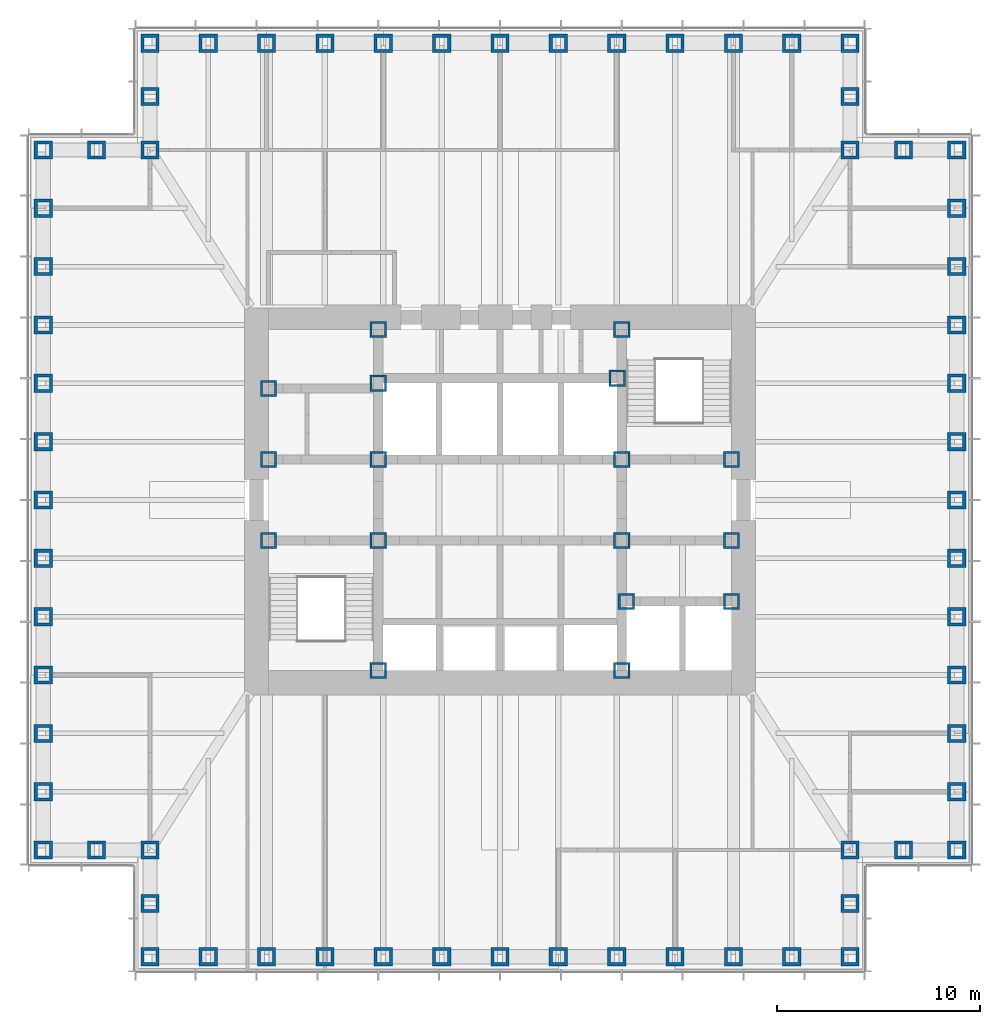
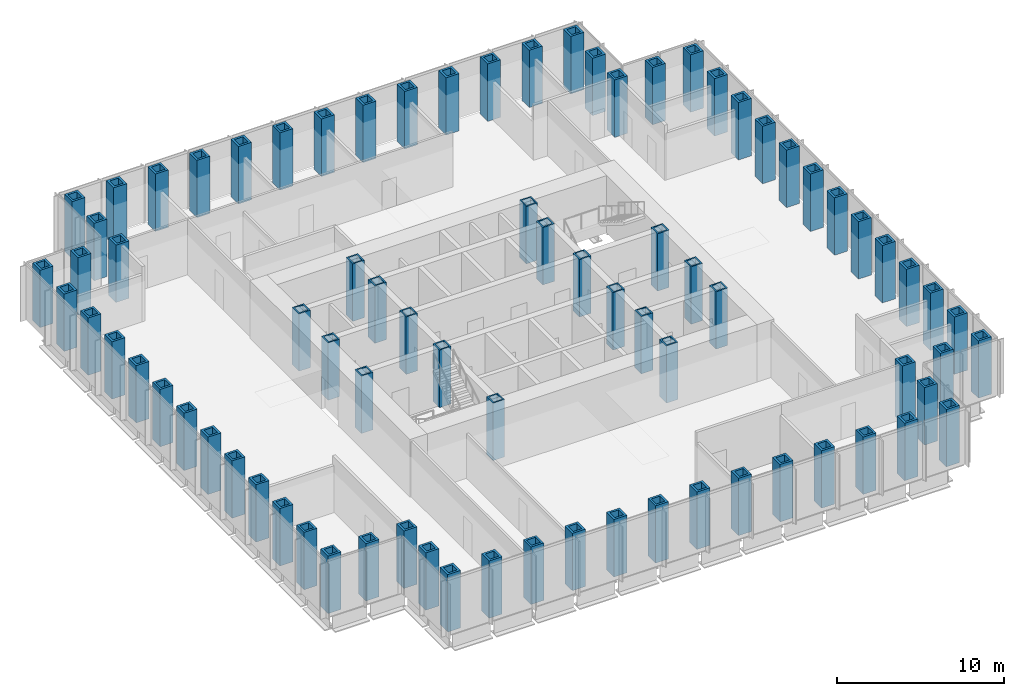
# One storey, part 1 of 17: 81 columns.
"""IFC4 building model written with IfcOpenShell, lengths in metres."""

import ifcopenshell
import ifcopenshell.guid

model = None  # the IFC model being written
_history = None  # IfcOwnerHistory: only IFC2X3 demands one
_inside = {}  # id of a spatial element -> (the spatial element, [elements in it])
_under = {}  # id of a project, library or spatial element -> (it, [spatial elements below it])
_declared = {}  # id of a project -> (the project, [libraries it declares])
_typed = {}  # id of a type object -> (the type object, [elements of that type])
_made_of = {}  # id of a material, layer set ... -> (it, [elements and type objects made of it])


def new_model(schema):
    """Start an empty IFC model of exactly this schema.

    Asked for "IFC4X3", IfcOpenShell would pick the latest addendum, in which some entities
    have other attributes; the version numbers below select the first issue.
    IFC2X3 requires an IfcOwnerHistory on every rooted entity: one is made here for all.
    """
    global model, _history
    if schema == "IFC4X3":
        model = ifcopenshell.file(schema_version=(4, 3, 0, 0))
    else:
        model = ifcopenshell.file(schema=schema)
    _inside.clear()
    _under.clear()
    _declared.clear()
    _typed.clear()
    _made_of.clear()
    _history = None
    if model.schema == "IFC2X3":
        org = make("IfcOrganization", Name="unknown")
        user = make(
            "IfcPersonAndOrganization",
            ThePerson=make("IfcPerson", FamilyName="unknown"),
            TheOrganization=org,
        )
        app = make(
            "IfcApplication",
            ApplicationDeveloper=org,
            Version="unknown",
            ApplicationFullName="unknown",
            ApplicationIdentifier="unknown",
        )
        _history = make(
            "IfcOwnerHistory",
            OwningUser=user,
            OwningApplication=app,
            ChangeAction="ADDED",
            CreationDate=0,
        )
    return model


def make(cls, **values):
    """One entity of the class cls with the attributes given. An attribute that is None is left unset."""
    return model.create_entity(
        cls, **{name: value for name, value in values.items() if value is not None}
    )


def rooted(cls, **values):
    """An entity with a GlobalId (a new one), such as an element, a storey or a relation."""
    return make(cls, GlobalId=ifcopenshell.guid.new(), OwnerHistory=_history, **values)


def si_unit(unit_type, name, prefix=None):
    """IfcSIUnit, for example si_unit("LENGTHUNIT", "METRE", prefix="MILLI")."""
    return make("IfcSIUnit", UnitType=unit_type, Prefix=prefix, Name=name)


def assignment(units):
    """IfcUnitAssignment: the units of a project."""
    return None if units is None else make("IfcUnitAssignment", Units=units)


def point(xyz):
    """IfcCartesianPoint."""
    return None if xyz is None else make("IfcCartesianPoint", Coordinates=xyz)


def direction(xyz):
    """IfcDirection."""
    return None if xyz is None else make("IfcDirection", DirectionRatios=xyz)


def frame(location, z_axis=None, x_axis=None):
    """IfcAxis2Placement3D, a coordinate frame: its origin and axes. An axis left out is left unset."""
    return make(
        "IfcAxis2Placement3D",
        Location=point(location),
        Axis=direction(z_axis),
        RefDirection=direction(x_axis),
    )


def frame_2d(location, x_axis=None):
    """IfcAxis2Placement2D, a coordinate frame in the plane: its origin and x axis."""
    return make(
        "IfcAxis2Placement2D", Location=point(location), RefDirection=direction(x_axis)
    )


def origin():
    """The frame at (0, 0, 0) with its axes left unset."""
    return frame((0.0, 0.0, 0.0))


def origin_2d():
    """The frame at (0, 0) in the plane with its x axis left unset."""
    return frame_2d((0.0, 0.0))


def place(relative_to, where):
    """IfcLocalPlacement: puts the frame where relative to a parent placement (None: the world)."""
    return make(
        "IfcLocalPlacement", PlacementRelTo=relative_to, RelativePlacement=where
    )


def context(
    kind, dimensions, precision=None, world=None, true_north=None, identifier=None
):
    """IfcGeometricRepresentationContext, for example the 3D "Model" context."""
    return make(
        "IfcGeometricRepresentationContext",
        ContextIdentifier=identifier,
        ContextType=kind,
        CoordinateSpaceDimension=dimensions,
        Precision=precision,
        WorldCoordinateSystem=world,
        TrueNorth=true_north,
    )


def subcontext(parent, identifier, kind, view, scale=None):
    """IfcGeometricRepresentationSubContext, for example "Body" below "Model"."""
    return make(
        "IfcGeometricRepresentationSubContext",
        ContextIdentifier=identifier,
        ContextType=kind,
        ParentContext=parent,
        TargetScale=scale,
        TargetView=view,
    )


def project(units=None, contexts=None):
    """IfcProject with its units and contexts."""
    return rooted(
        "IfcProject",
        Name="project",
        RepresentationContexts=contexts,
        UnitsInContext=assignment(units),
    )


def spatial(cls, under=None, at=None, **own):
    """A site, building, storey or space (cls), placed at a placement, below another one or the project."""
    s = rooted(cls, ObjectPlacement=at, **own)
    if under is not None:
        _under.setdefault(under.id(), (under, []))[1].append(s)
    return s


def profile(cls, at=None, kind="AREA", **sizes):
    """A parametric profile (cls). Its sizes go by their IFC names, for example OverallWidth=200.0."""
    return make(cls, ProfileType=kind, Position=at, **sizes)


def hollow_rectangle(**sizes):
    """IfcRectangleHollowProfileDef."""
    return profile("IfcRectangleHollowProfileDef", **sizes)


def extrude(swept, where, along, depth):
    """IfcExtrudedAreaSolid: the profile swept, set in the frame where, extruded along a direction by depth."""
    return make(
        "IfcExtrudedAreaSolid",
        SweptArea=swept,
        Position=where,
        ExtrudedDirection=direction(along),
        Depth=depth,
    )


def shape(context_of_items, identifier, shape_type, items):
    """IfcShapeRepresentation: the items that make up one representation, for example the "Body"."""
    return make(
        "IfcShapeRepresentation",
        ContextOfItems=context_of_items,
        RepresentationIdentifier=identifier,
        RepresentationType=shape_type,
        Items=items,
    )


def material(Name=None, Category=None):
    """IfcMaterial."""
    return make("IfcMaterial", Name=Name, Category=Category)


def material_profile(
    of_material, cross_section, Name=None, Category=None, Priority=None
):
    """IfcMaterialProfile: a cross section and its material."""
    return make(
        "IfcMaterialProfile",
        Name=Name,
        Material=of_material,
        Profile=cross_section,
        Priority=Priority,
        Category=Category,
    )


def profile_set(profiles, Name=None, composite=None):
    """IfcMaterialProfileSet."""
    return make(
        "IfcMaterialProfileSet",
        Name=Name,
        MaterialProfiles=profiles,
        CompositeProfile=composite,
    )


def made_of(thing, what):
    """Note that an element or type object is made of a material, layer set ...; save() writes the relation."""
    if what is not None:
        _made_of.setdefault(what.id(), (what, []))[1].append(thing)
    return thing


def type_object(cls, material=None, **own):
    """A type object (cls), such as IfcWallType, which elements share."""
    return made_of(rooted(cls, **own), material)


def element(
    cls,
    number,
    at=None,
    inside=None,
    cuts=None,
    type_object=None,
    material=None,
    context=None,
    identifier="Body",
    shape_type=None,
    held_by="IfcProductDefinitionShape",
    body=None,
    shapes=None,
    **own,
):
    """One element of the class cls, such as IfcWall. Its Tag is "e" and its number.

    at: its placement. inside: the storey or other place that contains it. cuts: it is an
    opening in that element (IfcRelVoidsElement). A single representation is given by context,
    identifier, shape_type and body (its items); several are given by shapes. held_by: the class
    of the entity that holds the representations. save() writes the other relations.
    """
    e = rooted(cls, Tag="e%d" % number, ObjectPlacement=at, **own)
    if body is not None:
        shapes = [shape(context, identifier, shape_type, body)]
    if shapes is not None:
        e.Representation = make(held_by, Representations=shapes)
    if inside is not None:
        _inside.setdefault(inside.id(), (inside, []))[1].append(e)
    if cuts is not None:
        rooted(
            "IfcRelVoidsElement", RelatingBuildingElement=cuts, RelatedOpeningElement=e
        )
    if type_object is not None:
        _typed.setdefault(type_object.id(), (type_object, []))[1].append(e)
    return made_of(e, material)


def aggregate(whole, parts):
    """IfcRelAggregates: a whole, such as a stair, and the parts it consists of."""
    return rooted("IfcRelAggregates", RelatingObject=whole, RelatedObjects=parts)


def save(model, path):
    """Write the relations noted so far, then the file.

    IfcRelAggregates (storeys below a building ...), IfcRelContainedInSpatialStructure (elements
    in a storey), IfcRelDefinesByType, IfcRelAssociatesMaterial and IfcRelDeclares: one each for
    every whole, place, type object, material and project.
    """
    for whole, parts in _under.values():
        aggregate(whole, parts)
    for where, things in _inside.values():
        rooted(
            "IfcRelContainedInSpatialStructure",
            RelatedElements=things,
            RelatingStructure=where,
        )
    for kind, things in _typed.values():
        rooted("IfcRelDefinesByType", RelatedObjects=things, RelatingType=kind)
    for what, things in _made_of.values():
        rooted("IfcRelAssociatesMaterial", RelatedObjects=things, RelatingMaterial=what)
    for by, libraries in _declared.values():
        rooted("IfcRelDeclares", RelatingContext=by, RelatedDefinitions=libraries)
    model.write(path)


model = new_model("IFC4")

# Units and contexts
model_context = context("Model", 3, precision=1e-05, world=origin(), true_north=direction((0.0, 1.0)))
body_context = subcontext(model_context, "Body", "Model", "MODEL_VIEW")
ifc_project = project(units=[si_unit("LENGTHUNIT", "METRE"), si_unit("AREAUNIT", "SQUARE_METRE"), si_unit("VOLUMEUNIT", "CUBIC_METRE"), si_unit("PLANEANGLEUNIT", "RADIAN"), si_unit("MASSUNIT", "GRAM", prefix="KILO")], contexts=[model_context])

# Site, building, storey
site_placement = place(None, origin())
site = spatial("IfcSite", under=ifc_project, at=site_placement, CompositionType="ELEMENT")
building_placement = place(site_placement, origin())
building = spatial("IfcBuilding", under=site, at=building_placement, Name="Daluyong Arena Tower", CompositionType="ELEMENT")
storey_placement = place(building_placement, frame((0.0, 0.0, 124.89990234375)))
storey = spatial("IfcBuildingStorey", under=building, at=storey_placement, Name="L27", CompositionType="ELEMENT", Elevation=124.89990234375)

# Columns
ifc_material_1 = material(Name="Steel ASTM A572 Grade 50", Category="steel")
ifc_material_profile_1 = material_profile(ifc_material_1, hollow_rectangle(XDim=0.800048828125, YDim=0.800048828125, WallThickness=0.1, at=origin_2d()))
ifc_profile_set_1 = profile_set([ifc_material_profile_1], Name="Steel ASTM A572 Grade 50")
column_type_1 = type_object("IfcColumnType", Name="Core boundary column BX800X100", PredefinedType="COLUMN", material=ifc_profile_set_1)
for number, where, z_axis, x_axis, name in (
    (1, (44.60009765625, 78.0, 0.0), (0.0, 0.0, 1.0), (1.0, 0.0, 0.0), "core boundary column BC2"),
    (2, (44.60009765625, 82.0, 0.0), (0.0, 0.0, 1.0), (1.0, 0.0, 0.0), "core boundary column BC2"),
    (3, (44.60009765625, 85.5, 0.0), (0.0, 0.0, 1.0), (1.0, 0.0, 0.0), "core boundary column BC2"),
    (4, (50.0, 71.60009765625, 0.0), (0.0, 0.0, 1.0), (1.0, 0.0, 0.0), "core boundary column BC2"),
    (5, (50.0, 78.0, 0.0), (0.0, 0.0, 1.0), (1.0, 0.0, 0.0), "core boundary column BC2"),
    (6, (50.0, 82.0, 0.0), (0.0, 0.0, 1.0), (1.0, 0.0, 0.0), "core boundary column BC2"),
    (7, (50.0, 85.75, 0.0), (0.0, 0.0, 1.0), (1.0, 0.0, 0.0), "core boundary column BC2"),
    (8, (50.0, 88.39990234375, 0.0), (0.0, 0.0, 1.0), (1.0, 0.0, 0.0), "core boundary column BC2"),
    (9, (61.77490234375, 86.0, 0.0), (0.0, 0.0, 1.0), (1.0, 0.0, 0.0), "core boundary column BC2"),
    (10, (62.0, 71.60009765625, 0.0), (0.0, 0.0, 1.0), (1.0, 0.0, 0.0), "core boundary column BC2"),
    (11, (62.0, 78.0, 0.0), (0.0, 0.0, 1.0), (1.0, 0.0, 0.0), "core boundary column BC2"),
    (12, (62.0, 82.0, 0.0), (0.0, 0.0, 1.0), (1.0, 0.0, 0.0), "core boundary column BC2"),
    (13, (62.0, 88.39990234375, 0.0), (0.0, 0.0, 1.0), (1.0, 0.0, 0.0), "core boundary column BC2"),
    (14, (62.22509765625, 75.0, 0.0), (0.0, 0.0, 1.0), (1.0, 0.0, 0.0), "core boundary column BC2"),
    (15, (67.39990234375, 75.0, 0.0), (0.0, 0.0, 1.0), (1.0, 0.0, 0.0), "core boundary column BC2"),
    (16, (67.39990234375, 78.0, 0.0), (0.0, 0.0, 1.0), (1.0, 0.0, 0.0), "core boundary column BC2"),
    (17, (67.39990234375, 82.0, 0.0), (0.0, 0.0, 1.0), (1.0, 0.0, 0.0), "core boundary column BC2"),
):
    element("IfcColumn", number, at=place(storey_placement, frame(where, z_axis=z_axis, x_axis=x_axis)), inside=storey, type_object=column_type_1, Name=name, PredefinedType="COLUMN", context=body_context, shape_type="SweptSolid", body=[
        extrude(hollow_rectangle(XDim=0.800048828125, YDim=0.800048828125, WallThickness=0.1, at=origin_2d()), origin(), (0.0, 0.0, 1.0), 4.2001953125),
    ])
ifc_material_2 = material(Name="Steel ASTM A588 Grade 50", Category="steel")
ifc_material_profile_2 = material_profile(ifc_material_2, hollow_rectangle(XDim=0.89990234375, YDim=0.89990234375, WallThickness=0.15, at=origin_2d()))
ifc_profile_set_2 = profile_set([ifc_material_profile_2], Name="Steel ASTM A588 Grade 50")
column_type_2 = type_object("IfcColumnType", Name="Tube column BX900X150 BX900X150", PredefinedType="COLUMN", material=ifc_profile_set_2)
for number, where, z_axis, x_axis, name in (
    (18, (38.75, 57.5, 0.0), (0.0, 0.0, 1.0), (1.0, 0.0, 0.0), "tube column bx900x150 TC5"),
    (19, (41.625, 57.5, 0.0), (0.0, 0.0, 1.0), (1.0, 0.0, 0.0), "tube column bx900x150 TC5"),
    (20, (44.5, 57.5, 0.0), (0.0, 0.0, 1.0), (1.0, 0.0, 0.0), "tube column bx900x150 TC5"),
    (21, (47.375, 57.5, 0.0), (0.0, 0.0, 1.0), (1.0, 0.0, 0.0), "tube column bx900x150 TC5"),
    (22, (50.25, 57.5, 0.0), (0.0, 0.0, 1.0), (1.0, 0.0, 0.0), "tube column bx900x150 TC5"),
    (23, (53.125, 57.5, 0.0), (0.0, 0.0, 1.0), (1.0, 0.0, 0.0), "tube column bx900x150 TC5"),
    (24, (56.0, 57.5, 0.0), (0.0, 0.0, 1.0), (1.0, 0.0, 0.0), "tube column bx900x150 TC5"),
    (25, (58.875, 57.5, 0.0), (0.0, 0.0, 1.0), (1.0, 0.0, 0.0), "tube column bx900x150 TC5"),
    (26, (61.75, 57.5, 0.0), (0.0, 0.0, 1.0), (1.0, 0.0, 0.0), "tube column bx900x150 TC5"),
    (27, (64.625, 57.5, 0.0), (0.0, 0.0, 1.0), (1.0, 0.0, 0.0), "tube column bx900x150 TC5"),
    (28, (67.5, 57.5, 0.0), (0.0, 0.0, 1.0), (1.0, 0.0, 0.0), "tube column bx900x150 TC5"),
    (29, (70.375, 57.5, 0.0), (0.0, 0.0, 1.0), (1.0, 0.0, 0.0), "tube column bx900x150 TC5"),
    (30, (73.25, 57.5, 0.0), (0.0, 0.0, 1.0), (0.0, 1.0, 0.0), "tube column bx900x150 TC5"),
    (31, (73.25, 60.125, 0.0), (0.0, 0.0, 1.0), (0.0, 1.0, 0.0), "tube column bx900x150 TC5"),
    (32, (73.25, 62.75, 0.0), (0.0, 0.0, 1.0), (1.0, 0.0, 0.0), "tube column bx900x150 TC5"),
    (33, (75.875, 62.75, 0.0), (0.0, 0.0, 1.0), (1.0, 0.0, 0.0), "tube column bx900x150 TC5"),
    (34, (78.5, 62.75, 0.0), (0.0, 0.0, 1.0), (0.0, 1.0, 0.0), "tube column bx900x150 TC5"),
    (35, (78.5, 65.625, 0.0), (0.0, 0.0, 1.0), (0.0, 1.0, 0.0), "tube column bx900x150 TC5"),
    (36, (78.5, 68.5, 0.0), (0.0, 0.0, 1.0), (0.0, 1.0, 0.0), "tube column bx900x150 TC5"),
    (37, (78.5, 71.375, 0.0), (0.0, 0.0, 1.0), (0.0, 1.0, 0.0), "tube column bx900x150 TC5"),
    (38, (78.5, 74.25, 0.0), (0.0, 0.0, 1.0), (0.0, 1.0, 0.0), "tube column bx900x150 TC5"),
    (39, (78.5, 77.125, 0.0), (0.0, 0.0, 1.0), (0.0, 1.0, 0.0), "tube column bx900x150 TC5"),
    (40, (78.5, 80.0, 0.0), (0.0, 0.0, 1.0), (0.0, 1.0, 0.0), "tube column bx900x150 TC5"),
    (41, (78.5, 82.875, 0.0), (0.0, 0.0, 1.0), (0.0, 1.0, 0.0), "tube column bx900x150 TC5"),
    (42, (78.5, 85.75, 0.0), (0.0, 0.0, 1.0), (0.0, 1.0, 0.0), "tube column bx900x150 TC5"),
    (43, (78.5, 88.625, 0.0), (0.0, 0.0, 1.0), (0.0, 1.0, 0.0), "tube column bx900x150 TC5"),
    (44, (78.5, 91.5, 0.0), (0.0, 0.0, 1.0), (0.0, 1.0, 0.0), "tube column bx900x150 TC5"),
    (45, (78.5, 94.375, 0.0), (0.0, 0.0, 1.0), (0.0, 1.0, 0.0), "tube column bx900x150 TC5"),
    (46, (78.5, 97.25, 0.0), (0.0, 0.0, 1.0), (1.0, 0.0, 0.0), "tube column bx900x150 TC5"),
    (47, (75.875, 97.25, 0.0), (0.0, 0.0, 1.0), (1.0, 0.0, 0.0), "tube column bx900x150 TC5"),
    (48, (73.25, 97.25, 0.0), (0.0, 0.0, 1.0), (0.0, 1.0, 0.0), "tube column bx900x150 TC5"),
    (49, (73.25, 99.875, 0.0), (0.0, 0.0, 1.0), (0.0, 1.0, 0.0), "tube column bx900x150 TC5"),
    (50, (73.25, 102.5, 0.0), (0.0, 0.0, 1.0), (1.0, 0.0, 0.0), "tube column bx900x150 TC5"),
    (51, (70.375, 102.5, 0.0), (0.0, 0.0, 1.0), (1.0, 0.0, 0.0), "tube column bx900x150 TC5"),
    (52, (67.5, 102.5, 0.0), (0.0, 0.0, 1.0), (1.0, 0.0, 0.0), "tube column bx900x150 TC5"),
    (53, (64.625, 102.5, 0.0), (0.0, 0.0, 1.0), (1.0, 0.0, 0.0), "tube column bx900x150 TC5"),
    (54, (61.75, 102.5, 0.0), (0.0, 0.0, 1.0), (1.0, 0.0, 0.0), "tube column bx900x150 TC5"),
    (55, (58.875, 102.5, 0.0), (0.0, 0.0, 1.0), (1.0, 0.0, 0.0), "tube column bx900x150 TC5"),
    (56, (56.0, 102.5, 0.0), (0.0, 0.0, 1.0), (1.0, 0.0, 0.0), "tube column bx900x150 TC5"),
    (57, (53.125, 102.5, 0.0), (0.0, 0.0, 1.0), (1.0, 0.0, 0.0), "tube column bx900x150 TC5"),
    (58, (50.25, 102.5, 0.0), (0.0, 0.0, 1.0), (1.0, 0.0, 0.0), "tube column bx900x150 TC5"),
    (59, (47.375, 102.5, 0.0), (0.0, 0.0, 1.0), (1.0, 0.0, 0.0), "tube column bx900x150 TC5"),
    (60, (44.5, 102.5, 0.0), (0.0, 0.0, 1.0), (1.0, 0.0, 0.0), "tube column bx900x150 TC5"),
    (61, (41.625, 102.5, 0.0), (0.0, 0.0, 1.0), (1.0, 0.0, 0.0), "tube column bx900x150 TC5"),
    (62, (38.75, 102.5, 0.0), (0.0, 0.0, 1.0), (0.0, 1.0, 0.0), "tube column bx900x150 TC5"),
    (63, (38.75, 99.875, 0.0), (0.0, 0.0, 1.0), (0.0, 1.0, 0.0), "tube column bx900x150 TC5"),
    (64, (38.75, 97.25, 0.0), (0.0, 0.0, 1.0), (1.0, 0.0, 0.0), "tube column bx900x150 TC5"),
    (65, (36.125, 97.25, 0.0), (0.0, 0.0, 1.0), (1.0, 0.0, 0.0), "tube column bx900x150 TC5"),
    (66, (33.5, 97.25, 0.0), (0.0, 0.0, 1.0), (0.0, 1.0, 0.0), "tube column bx900x150 TC5"),
    (67, (33.5, 94.375, 0.0), (0.0, 0.0, 1.0), (0.0, 1.0, 0.0), "tube column bx900x150 TC5"),
    (68, (33.5, 91.5, 0.0), (0.0, 0.0, 1.0), (0.0, 1.0, 0.0), "tube column bx900x150 TC5"),
    (69, (33.5, 88.625, 0.0), (0.0, 0.0, 1.0), (0.0, 1.0, 0.0), "tube column bx900x150 TC5"),
    (70, (33.5, 85.75, 0.0), (0.0, 0.0, 1.0), (0.0, 1.0, 0.0), "tube column bx900x150 TC5"),
    (71, (33.5, 82.875, 0.0), (0.0, 0.0, 1.0), (0.0, 1.0, 0.0), "tube column bx900x150 TC5"),
    (72, (33.5, 80.0, 0.0), (0.0, 0.0, 1.0), (0.0, 1.0, 0.0), "tube column bx900x150 TC5"),
    (73, (33.5, 77.125, 0.0), (0.0, 0.0, 1.0), (0.0, 1.0, 0.0), "tube column bx900x150 TC5"),
    (74, (33.5, 74.25, 0.0), (0.0, 0.0, 1.0), (0.0, 1.0, 0.0), "tube column bx900x150 TC5"),
    (75, (33.5, 71.375, 0.0), (0.0, 0.0, 1.0), (0.0, 1.0, 0.0), "tube column bx900x150 TC5"),
    (76, (33.5, 68.5, 0.0), (0.0, 0.0, 1.0), (0.0, 1.0, 0.0), "tube column bx900x150 TC5"),
    (77, (33.5, 65.625, 0.0), (0.0, 0.0, 1.0), (0.0, 1.0, 0.0), "tube column bx900x150 TC5"),
    (78, (33.5, 62.75, 0.0), (0.0, 0.0, 1.0), (1.0, 0.0, 0.0), "tube column bx900x150 TC5"),
    (79, (36.125, 62.75, 0.0), (0.0, 0.0, 1.0), (1.0, 0.0, 0.0), "tube column bx900x150 TC5"),
    (80, (38.75, 62.75, 0.0), (0.0, 0.0, 1.0), (0.0, 1.0, 0.0), "tube column bx900x150 TC5"),
    (81, (38.75, 60.125, 0.0), (0.0, 0.0, 1.0), (0.0, 1.0, 0.0), "tube column bx900x150 TC5"),
):
    element("IfcColumn", number, at=place(storey_placement, frame(where, z_axis=z_axis, x_axis=x_axis)), inside=storey, type_object=column_type_2, Name=name, PredefinedType="COLUMN", context=body_context, shape_type="SweptSolid", body=[
        extrude(hollow_rectangle(XDim=0.89990234375, YDim=0.89990234375, WallThickness=0.15, at=origin_2d()), origin(), (0.0, 0.0, 1.0), 4.2001953125),
    ])

save(model, "model.ifc")
